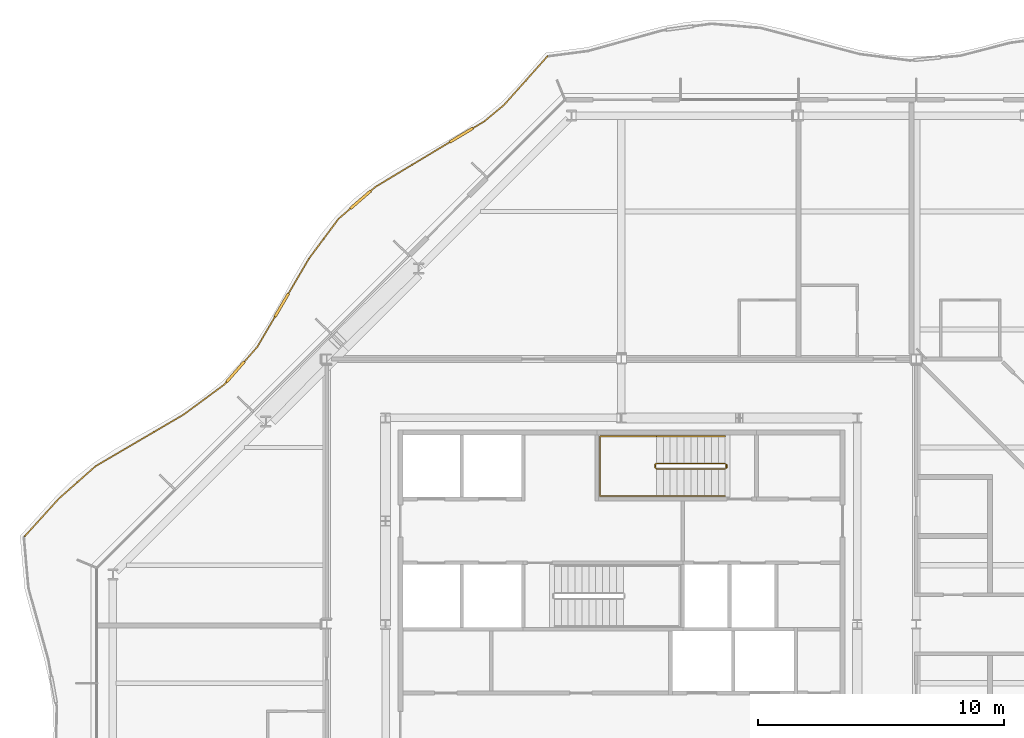
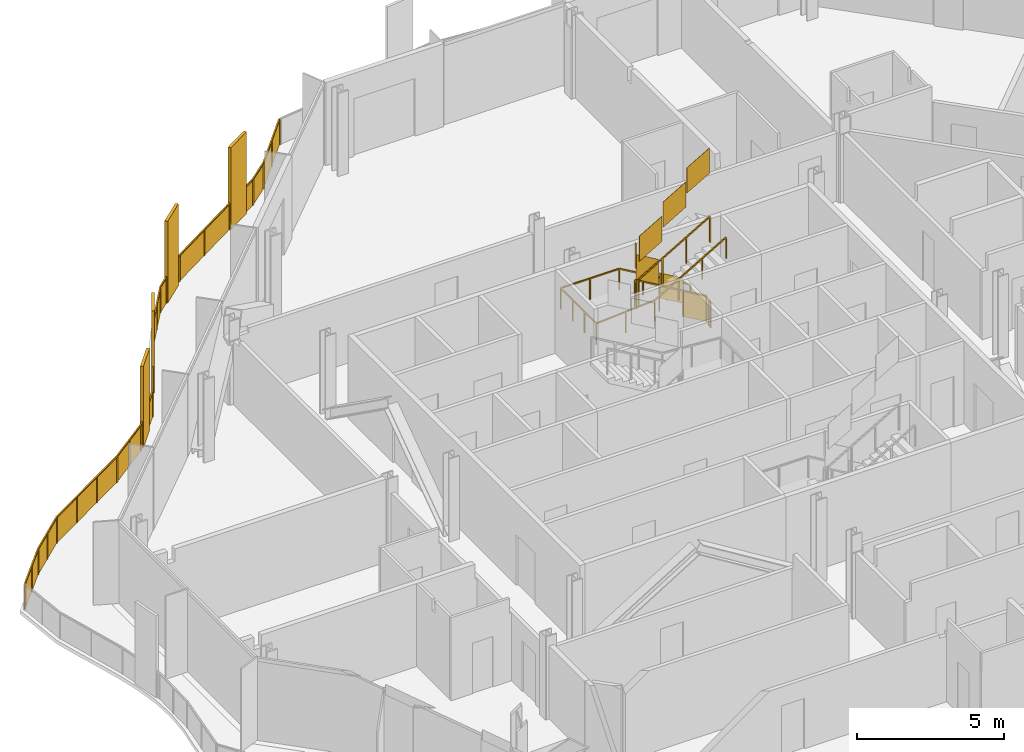
# One storey, part 16 of 17: 4 railings.
"""IFC4 building model written with IfcOpenShell, lengths in metres."""

import ifcopenshell
import ifcopenshell.guid

model = None  # the IFC model being written
_history = None  # IfcOwnerHistory: only IFC2X3 demands one
_inside = {}  # id of a spatial element -> (the spatial element, [elements in it])
_under = {}  # id of a project, library or spatial element -> (it, [spatial elements below it])
_declared = {}  # id of a project -> (the project, [libraries it declares])
_typed = {}  # id of a type object -> (the type object, [elements of that type])
_made_of = {}  # id of a material, layer set ... -> (it, [elements and type objects made of it])


def new_model(schema):
    """Start an empty IFC model of exactly this schema.

    Asked for "IFC4X3", IfcOpenShell would pick the latest addendum, in which some entities
    have other attributes; the version numbers below select the first issue.
    IFC2X3 requires an IfcOwnerHistory on every rooted entity: one is made here for all.
    """
    global model, _history
    if schema == "IFC4X3":
        model = ifcopenshell.file(schema_version=(4, 3, 0, 0))
    else:
        model = ifcopenshell.file(schema=schema)
    _inside.clear()
    _under.clear()
    _declared.clear()
    _typed.clear()
    _made_of.clear()
    _history = None
    if model.schema == "IFC2X3":
        org = make("IfcOrganization", Name="unknown")
        user = make(
            "IfcPersonAndOrganization",
            ThePerson=make("IfcPerson", FamilyName="unknown"),
            TheOrganization=org,
        )
        app = make(
            "IfcApplication",
            ApplicationDeveloper=org,
            Version="unknown",
            ApplicationFullName="unknown",
            ApplicationIdentifier="unknown",
        )
        _history = make(
            "IfcOwnerHistory",
            OwningUser=user,
            OwningApplication=app,
            ChangeAction="ADDED",
            CreationDate=0,
        )
    return model


def make(cls, **values):
    """One entity of the class cls with the attributes given. An attribute that is None is left unset."""
    return model.create_entity(
        cls, **{name: value for name, value in values.items() if value is not None}
    )


def rooted(cls, **values):
    """An entity with a GlobalId (a new one), such as an element, a storey or a relation."""
    return make(cls, GlobalId=ifcopenshell.guid.new(), OwnerHistory=_history, **values)


def si_unit(unit_type, name, prefix=None):
    """IfcSIUnit, for example si_unit("LENGTHUNIT", "METRE", prefix="MILLI")."""
    return make("IfcSIUnit", UnitType=unit_type, Prefix=prefix, Name=name)


def assignment(units):
    """IfcUnitAssignment: the units of a project."""
    return None if units is None else make("IfcUnitAssignment", Units=units)


def point(xyz):
    """IfcCartesianPoint."""
    return None if xyz is None else make("IfcCartesianPoint", Coordinates=xyz)


def direction(xyz):
    """IfcDirection."""
    return None if xyz is None else make("IfcDirection", DirectionRatios=xyz)


def frame(location, z_axis=None, x_axis=None):
    """IfcAxis2Placement3D, a coordinate frame: its origin and axes. An axis left out is left unset."""
    return make(
        "IfcAxis2Placement3D",
        Location=point(location),
        Axis=direction(z_axis),
        RefDirection=direction(x_axis),
    )


def frame_2d(location, x_axis=None):
    """IfcAxis2Placement2D, a coordinate frame in the plane: its origin and x axis."""
    return make(
        "IfcAxis2Placement2D", Location=point(location), RefDirection=direction(x_axis)
    )


def origin():
    """The frame at (0, 0, 0) with its axes left unset."""
    return frame((0.0, 0.0, 0.0))


def origin_2d():
    """The frame at (0, 0) in the plane with its x axis left unset."""
    return frame_2d((0.0, 0.0))


def place(relative_to, where):
    """IfcLocalPlacement: puts the frame where relative to a parent placement (None: the world)."""
    return make(
        "IfcLocalPlacement", PlacementRelTo=relative_to, RelativePlacement=where
    )


def context(
    kind, dimensions, precision=None, world=None, true_north=None, identifier=None
):
    """IfcGeometricRepresentationContext, for example the 3D "Model" context."""
    return make(
        "IfcGeometricRepresentationContext",
        ContextIdentifier=identifier,
        ContextType=kind,
        CoordinateSpaceDimension=dimensions,
        Precision=precision,
        WorldCoordinateSystem=world,
        TrueNorth=true_north,
    )


def subcontext(parent, identifier, kind, view, scale=None):
    """IfcGeometricRepresentationSubContext, for example "Body" below "Model"."""
    return make(
        "IfcGeometricRepresentationSubContext",
        ContextIdentifier=identifier,
        ContextType=kind,
        ParentContext=parent,
        TargetScale=scale,
        TargetView=view,
    )


def project(units=None, contexts=None):
    """IfcProject with its units and contexts."""
    return rooted(
        "IfcProject",
        Name="project",
        RepresentationContexts=contexts,
        UnitsInContext=assignment(units),
    )


def spatial(cls, under=None, at=None, **own):
    """A site, building, storey or space (cls), placed at a placement, below another one or the project."""
    s = rooted(cls, ObjectPlacement=at, **own)
    if under is not None:
        _under.setdefault(under.id(), (under, []))[1].append(s)
    return s


def polyline(points):
    """IfcPolyline through the points."""
    return make("IfcPolyline", Points=[point(p) for p in points])


def profile(cls, at=None, kind="AREA", **sizes):
    """A parametric profile (cls). Its sizes go by their IFC names, for example OverallWidth=200.0."""
    return make(cls, ProfileType=kind, Position=at, **sizes)


def rectangle(**sizes):
    """IfcRectangleProfileDef."""
    return profile("IfcRectangleProfileDef", **sizes)


def outline(outer, holes=None, kind="AREA"):
    """IfcArbitraryClosedProfileDef: a profile drawn as a closed curve; with holes, ...WithVoids."""
    if holes is None:
        return make("IfcArbitraryClosedProfileDef", ProfileType=kind, OuterCurve=outer)
    return make(
        "IfcArbitraryProfileDefWithVoids",
        ProfileType=kind,
        OuterCurve=outer,
        InnerCurves=holes,
    )


def extrude(swept, where, along, depth):
    """IfcExtrudedAreaSolid: the profile swept, set in the frame where, extruded along a direction by depth."""
    return make(
        "IfcExtrudedAreaSolid",
        SweptArea=swept,
        Position=where,
        ExtrudedDirection=direction(along),
        Depth=depth,
    )


def shape(context_of_items, identifier, shape_type, items):
    """IfcShapeRepresentation: the items that make up one representation, for example the "Body"."""
    return make(
        "IfcShapeRepresentation",
        ContextOfItems=context_of_items,
        RepresentationIdentifier=identifier,
        RepresentationType=shape_type,
        Items=items,
    )


def material(Name=None, Category=None):
    """IfcMaterial."""
    return make("IfcMaterial", Name=Name, Category=Category)


def made_of(thing, what):
    """Note that an element or type object is made of a material, layer set ...; save() writes the relation."""
    if what is not None:
        _made_of.setdefault(what.id(), (what, []))[1].append(thing)
    return thing


def type_object(cls, material=None, **own):
    """A type object (cls), such as IfcWallType, which elements share."""
    return made_of(rooted(cls, **own), material)


def element(
    cls,
    number,
    at=None,
    inside=None,
    cuts=None,
    type_object=None,
    material=None,
    context=None,
    identifier="Body",
    shape_type=None,
    held_by="IfcProductDefinitionShape",
    body=None,
    shapes=None,
    **own,
):
    """One element of the class cls, such as IfcWall. Its Tag is "e" and its number.

    at: its placement. inside: the storey or other place that contains it. cuts: it is an
    opening in that element (IfcRelVoidsElement). A single representation is given by context,
    identifier, shape_type and body (its items); several are given by shapes. held_by: the class
    of the entity that holds the representations. save() writes the other relations.
    """
    e = rooted(cls, Tag="e%d" % number, ObjectPlacement=at, **own)
    if body is not None:
        shapes = [shape(context, identifier, shape_type, body)]
    if shapes is not None:
        e.Representation = make(held_by, Representations=shapes)
    if inside is not None:
        _inside.setdefault(inside.id(), (inside, []))[1].append(e)
    if cuts is not None:
        rooted(
            "IfcRelVoidsElement", RelatingBuildingElement=cuts, RelatedOpeningElement=e
        )
    if type_object is not None:
        _typed.setdefault(type_object.id(), (type_object, []))[1].append(e)
    return made_of(e, material)


def aggregate(whole, parts):
    """IfcRelAggregates: a whole, such as a stair, and the parts it consists of."""
    return rooted("IfcRelAggregates", RelatingObject=whole, RelatedObjects=parts)


def save(model, path):
    """Write the relations noted so far, then the file.

    IfcRelAggregates (storeys below a building ...), IfcRelContainedInSpatialStructure (elements
    in a storey), IfcRelDefinesByType, IfcRelAssociatesMaterial and IfcRelDeclares: one each for
    every whole, place, type object, material and project.
    """
    for whole, parts in _under.values():
        aggregate(whole, parts)
    for where, things in _inside.values():
        rooted(
            "IfcRelContainedInSpatialStructure",
            RelatedElements=things,
            RelatingStructure=where,
        )
    for kind, things in _typed.values():
        rooted("IfcRelDefinesByType", RelatedObjects=things, RelatingType=kind)
    for what, things in _made_of.values():
        rooted("IfcRelAssociatesMaterial", RelatedObjects=things, RelatingMaterial=what)
    for by, libraries in _declared.values():
        rooted("IfcRelDeclares", RelatingContext=by, RelatedDefinitions=libraries)
    model.write(path)


model = new_model("IFC4")

# Units and contexts
model_context = context("Model", 3, precision=1e-05, world=origin(), true_north=direction((0.0, 1.0)))
body_context = subcontext(model_context, "Body", "Model", "MODEL_VIEW")
ifc_project = project(units=[si_unit("LENGTHUNIT", "METRE"), si_unit("AREAUNIT", "SQUARE_METRE"), si_unit("VOLUMEUNIT", "CUBIC_METRE"), si_unit("PLANEANGLEUNIT", "RADIAN"), si_unit("MASSUNIT", "GRAM", prefix="KILO")], contexts=[model_context])

# Site, building, storey
site_placement = place(None, origin())
site = spatial("IfcSite", under=ifc_project, at=site_placement, CompositionType="ELEMENT")
building_placement = place(site_placement, origin())
building = spatial("IfcBuilding", under=site, at=building_placement, Name="Cairn Pilgrim Tower", CompositionType="ELEMENT")
storey_placement = place(building_placement, frame((0.0, 0.0, 228.60009765625)))
storey = spatial("IfcBuildingStorey", under=building, at=storey_placement, Name="L58", CompositionType="ELEMENT", Elevation=228.60009765625)

# Railings
ifc_material_1 = material(Name="Bronze anodised aluminium rail, posts and fin screens with laminated glass infill", Category="aluminium")
railing_type_1 = type_object("IfcRailingType", Name="BALCONY GUARD WITH FIN SCREENS", PredefinedType="GUARDRAIL", material=ifc_material_1)
railing_1_placement = place(storey_placement, frame((4.187255859375, 25.5185546875, 0.0)))
element("IfcRailing", 1, at=railing_1_placement, inside=storey, type_object=railing_type_1, Name="Balcony guard BGF-6 with fin screens", PredefinedType="GUARDRAIL", context=body_context, shape_type="SweptSolid", body=[
    extrude(rectangle(XDim=0.050048828125, YDim=0.050048828125, at=origin_2d()), frame((0.0, 0.0, 1.0751953125), z_axis=(-0.665645255765, -0.746268311988, 0.0), x_axis=(0.746268311988, -0.665645255765, 0.0)), (0.0, 0.0, 1.0), 2.65869140625),
    extrude(rectangle(XDim=0.050048828125, YDim=0.050048828125, at=origin_2d()), frame((-1.769775390625, -1.984130859375, 1.0751953125), z_axis=(-0.769227911486, -0.638974506683, 0.0), x_axis=(0.638974506683, -0.769227911486, 0.0)), (0.0, 0.0, 1.0), 1.03271484375),
    extrude(rectangle(XDim=1.10009765625, YDim=0.110107421875, at=origin_2d()), frame((-3.50341796875, -3.20947265625, 0.0), z_axis=(0.0, 0.0, 1.0), x_axis=(-0.856735056824, -0.515756766712, 0.0)), (0.0, 0.0, 1.0), 3.39990234375),
    extrude(rectangle(XDim=0.050048828125, YDim=0.050048828125, at=origin_2d()), frame((-2.564208984375, -2.64404296875, 1.0751953125), z_axis=(-0.856735056824, -0.515756766712, 0.0), x_axis=(0.515756766712, -0.856735056824, 0.0)), (0.0, 0.0, 1.0), 0.54638671875),
    extrude(rectangle(XDim=0.050048828125, YDim=0.050048828125, at=origin_2d()), frame((-3.974853515625, -3.4931640625, 1.0751953125), z_axis=(-0.856735056824, -0.515756766712, 0.0), x_axis=(0.515756766712, -0.856735056824, 0.0)), (0.0, 0.0, 1.0), 3.533203125),
    extrude(rectangle(XDim=1.10009765625, YDim=0.110107421875, at=origin_2d()), frame((-7.608642578125, -5.841064453125, 0.0), z_axis=(0.0, 0.0, 1.0), x_axis=(-0.755855266983, -0.654738738256, 0.0)), (0.0, 0.0, 1.0), 3.39990234375),
    extrude(rectangle(XDim=0.050048828125, YDim=0.050048828125, at=origin_2d()), frame((-7.001708984375, -5.3154296875, 1.0751953125), z_axis=(-0.755855266983, -0.654738738256, 0.0), x_axis=(0.654738738256, -0.755855266983, 0.0)), (0.0, 0.0, 1.0), 0.2529296875),
    extrude(rectangle(XDim=0.050048828125, YDim=0.050048828125, at=origin_2d()), frame((-8.0244140625, -6.201171875, 1.0751953125), z_axis=(-0.755855266983, -0.654738738256, 0.0), x_axis=(0.654738738256, -0.755855266983, 0.0)), (0.0, 0.0, 1.0), 0.634033203125),
    extrude(rectangle(XDim=0.050048828125, YDim=0.050048828125, at=origin_2d()), frame((-8.503662109375, -6.616455078125, 1.0751953125), z_axis=(-0.596941621145, -0.802284675751, 0.0), x_axis=(0.802284675751, -0.596941621145, 0.0)), (0.0, 0.0, 1.0), 2.008056640625),
    extrude(rectangle(XDim=1.10009765625, YDim=0.110107421875, at=origin_2d()), frame((-10.81201171875, -10.12451171875, 0.0), z_axis=(0.0, 0.0, 1.0), x_axis=(-0.504945951806, -0.863150963479, 0.0)), (0.0, 0.0, 1.0), 3.39990234375),
    extrude(rectangle(XDim=0.050048828125, YDim=0.050048828125, at=origin_2d()), frame((-9.702392578125, -8.2275390625, 1.0751953125), z_axis=(-0.504945951806, -0.863150963479, 0.0), x_axis=(0.863150963479, -0.504945951806, 0.0)), (0.0, 0.0, 1.0), 1.647705078125),
    extrude(rectangle(XDim=0.050048828125, YDim=0.050048828125, at=origin_2d()), frame((-11.08984375, -10.59912109375, 1.0751953125), z_axis=(-0.504945951806, -0.863150963479, 0.0), x_axis=(0.863150963479, -0.504945951806, 0.0)), (0.0, 0.0, 1.0), 1.416748046875),
    extrude(rectangle(XDim=1.10009765625, YDim=0.110107421875, at=origin_2d()), frame((-12.691650390625, -12.835205078125, 0.0), z_axis=(0.0, 0.0, 1.0), x_axis=(-0.658470820357, -0.75260625744, 0.0)), (0.0, 0.0, 1.0), 3.39990234375),
    extrude(rectangle(XDim=0.050048828125, YDim=0.050048828125, at=origin_2d()), frame((-11.80517578125, -11.822021484375, 1.0751953125), z_axis=(-0.658470820357, -0.75260625744, 0.0), x_axis=(0.75260625744, -0.658470820357, 0.0)), (0.0, 0.0, 1.0), 0.79638671875),
    extrude(rectangle(XDim=0.050048828125, YDim=0.050048828125, at=origin_2d()), frame((-13.053955078125, -13.249267578125, 1.0751953125), z_axis=(-0.658470820357, -0.75260625744, 0.0), x_axis=(0.75260625744, -0.658470820357, 0.0)), (0.0, 0.0, 1.0), 0.14990234375),
    extrude(rectangle(XDim=0.050048828125, YDim=0.050048828125, at=origin_2d()), frame((-13.152587890625, -13.362060546875, 1.0751953125), z_axis=(-0.804841149106, -0.593490290322, 0.0), x_axis=(0.593490290322, -0.804841149106, 0.0)), (0.0, 0.0, 1.0), 2.058349609375),
    extrude(rectangle(XDim=0.050048828125, YDim=0.050048828125, at=origin_2d()), frame((-14.809326171875, -14.583740234375, 1.0751953125), z_axis=(-0.862802366809, -0.505541369059, 0.0), x_axis=(0.505541369059, -0.862802366809, 0.0)), (0.0, 0.0, 1.0), 4.15087890625),
    extrude(rectangle(XDim=0.050048828125, YDim=0.050048828125, at=origin_2d()), frame((-18.390625, -16.68212890625, 1.0751953125), z_axis=(-0.749326257364, -0.662200996696, 0.0), x_axis=(0.662200996696, -0.749326257364, 0.0)), (0.0, 0.0, 1.0), 1.992431640625),
    extrude(rectangle(XDim=0.050048828125, YDim=0.050048828125, at=origin_2d()), frame((-19.883544921875, -18.00146484375, 1.0751953125), z_axis=(-0.671655185114, -0.740863895942, 0.0), x_axis=(0.740863895942, -0.671655185114, 0.0)), (0.0, 0.0, 1.0), 2.067138671875),
    extrude(rectangle(XDim=0.050048828125, YDim=0.050048828125, at=origin_2d()), origin(), (0.0, 0.0, 1.0), 1.050048828125),
    extrude(rectangle(XDim=0.050048828125, YDim=0.050048828125, at=origin_2d()), frame((-0.884765625, -0.991943359375, 0.0)), (0.0, 0.0, 1.0), 1.050048828125),
    extrude(rectangle(XDim=0.050048828125, YDim=0.050048828125, at=origin_2d()), frame((-1.769775390625, -1.984130859375, 0.0)), (0.0, 0.0, 1.0), 1.050048828125),
    extrude(rectangle(XDim=0.050048828125, YDim=0.050048828125, at=origin_2d()), frame((-2.564208984375, -2.64404296875, 0.0)), (0.0, 0.0, 1.0), 1.050048828125),
    extrude(rectangle(XDim=0.050048828125, YDim=0.050048828125, at=origin_2d()), frame((-3.010986328125, -2.912841796875, 0.0)), (0.0, 0.0, 1.0), 1.050048828125),
    extrude(rectangle(XDim=0.050048828125, YDim=0.050048828125, at=origin_2d()), frame((-3.99609375, -3.506103515625, 0.0)), (0.0, 0.0, 1.0), 1.050048828125),
    extrude(rectangle(XDim=0.050048828125, YDim=0.050048828125, at=origin_2d()), frame((-5.4990234375, -4.41064453125, 0.0)), (0.0, 0.0, 1.0), 1.050048828125),
    extrude(rectangle(XDim=0.050048828125, YDim=0.050048828125, at=origin_2d()), frame((-7.001708984375, -5.3154296875, 0.0)), (0.0, 0.0, 1.0), 1.050048828125),
    extrude(rectangle(XDim=0.050048828125, YDim=0.050048828125, at=origin_2d()), frame((-7.174072265625, -5.464599609375, 0.0)), (0.0, 0.0, 1.0), 1.050048828125),
    extrude(rectangle(XDim=0.050048828125, YDim=0.050048828125, at=origin_2d()), frame((-8.043212890625, -6.217529296875, 0.0)), (0.0, 0.0, 1.0), 1.050048828125),
    extrude(rectangle(XDim=0.050048828125, YDim=0.050048828125, at=origin_2d()), frame((-8.503662109375, -6.616455078125, 0.0)), (0.0, 0.0, 1.0), 1.050048828125),
    extrude(rectangle(XDim=0.050048828125, YDim=0.050048828125, at=origin_2d()), frame((-9.10302734375, -7.421875, 0.0)), (0.0, 0.0, 1.0), 1.050048828125),
    extrude(rectangle(XDim=0.050048828125, YDim=0.050048828125, at=origin_2d()), frame((-9.702392578125, -8.2275390625, 0.0)), (0.0, 0.0, 1.0), 1.050048828125),
    extrude(rectangle(XDim=0.050048828125, YDim=0.050048828125, at=origin_2d()), frame((-10.521728515625, -9.628173828125, 0.0)), (0.0, 0.0, 1.0), 1.050048828125),
    extrude(rectangle(XDim=0.050048828125, YDim=0.050048828125, at=origin_2d()), frame((-11.1025390625, -10.620849609375, 0.0)), (0.0, 0.0, 1.0), 1.050048828125),
    extrude(rectangle(XDim=0.050048828125, YDim=0.050048828125, at=origin_2d()), frame((-11.80517578125, -11.822021484375, 0.0)), (0.0, 0.0, 1.0), 1.050048828125),
    extrude(rectangle(XDim=0.050048828125, YDim=0.050048828125, at=origin_2d()), frame((-12.31298828125, -12.402587890625, 0.0)), (0.0, 0.0, 1.0), 1.050048828125),
    extrude(rectangle(XDim=0.050048828125, YDim=0.050048828125, at=origin_2d()), frame((-13.0703125, -13.26806640625, 0.0)), (0.0, 0.0, 1.0), 1.050048828125),
    extrude(rectangle(XDim=0.050048828125, YDim=0.050048828125, at=origin_2d()), frame((-13.152587890625, -13.362060546875, 0.0)), (0.0, 0.0, 1.0), 1.050048828125),
    extrude(rectangle(XDim=0.050048828125, YDim=0.050048828125, at=origin_2d()), frame((-13.98095703125, -13.972900390625, 0.0)), (0.0, 0.0, 1.0), 1.050048828125),
    extrude(rectangle(XDim=0.050048828125, YDim=0.050048828125, at=origin_2d()), frame((-14.809326171875, -14.583740234375, 0.0)), (0.0, 0.0, 1.0), 1.050048828125),
    extrude(rectangle(XDim=0.050048828125, YDim=0.050048828125, at=origin_2d()), frame((-16.003173828125, -15.283203125, 0.0)), (0.0, 0.0, 1.0), 1.050048828125),
    extrude(rectangle(XDim=0.050048828125, YDim=0.050048828125, at=origin_2d()), frame((-17.19677734375, -15.982666015625, 0.0)), (0.0, 0.0, 1.0), 1.050048828125),
    extrude(rectangle(XDim=0.050048828125, YDim=0.050048828125, at=origin_2d()), frame((-18.390625, -16.68212890625, 0.0)), (0.0, 0.0, 1.0), 1.050048828125),
    extrude(rectangle(XDim=0.050048828125, YDim=0.050048828125, at=origin_2d()), frame((-19.13720703125, -17.341796875, 0.0)), (0.0, 0.0, 1.0), 1.050048828125),
    extrude(rectangle(XDim=0.050048828125, YDim=0.050048828125, at=origin_2d()), frame((-19.883544921875, -18.00146484375, 0.0)), (0.0, 0.0, 1.0), 1.050048828125),
    extrude(rectangle(XDim=0.050048828125, YDim=0.050048828125, at=origin_2d()), frame((-20.57763671875, -18.76708984375, 0.0)), (0.0, 0.0, 1.0), 1.050048828125),
    extrude(rectangle(XDim=0.050048828125, YDim=0.050048828125, at=origin_2d()), frame((-21.27197265625, -19.532958984375, 0.0)), (0.0, 0.0, 1.0), 1.050048828125),
    extrude(outline(polyline([(0.02490234375, 0.0), (1.304443359375, 0.0), (1.304443359375, 1.050048828125), (0.02490234375, 1.050048828125), (0.02490234375, 0.0)])), frame((0.00439453125, -0.00390625, 0.0), z_axis=(-0.746268311988, 0.665645255765, 0.0), x_axis=(-0.665645255765, -0.746268311988, 0.0)), (0.0, 0.0, 1.0), 0.011962890625),
    extrude(outline(polyline([(0.02490234375, 0.0), (1.304443359375, 0.0), (1.304443359375, 1.050048828125), (0.02490234375, 1.050048828125), (0.02490234375, 0.0)])), frame((-0.88037109375, -0.99609375, 0.0), z_axis=(-0.746268311988, 0.665645255765, 0.0), x_axis=(-0.665645255765, -0.746268311988, 0.0)), (0.0, 0.0, 1.0), 0.011962890625),
    extrude(outline(polyline([(0.02490234375, 0.0), (1.0078125, 0.0), (1.0078125, 1.050048828125), (0.02490234375, 1.050048828125), (0.02490234375, 0.0)])), frame((-1.765869140625, -1.98876953125, 0.0), z_axis=(-0.638974506683, 0.769227911486, 0.0), x_axis=(-0.769227911486, -0.638974506683, 0.0)), (0.0, 0.0, 1.0), 0.011962890625),
    extrude(outline(polyline([(0.02490234375, 0.0), (0.496337890625, 0.0), (0.496337890625, 1.050048828125), (0.02490234375, 1.050048828125), (0.02490234375, 0.0)])), frame((-2.56103515625, -2.649169921875, 0.0), z_axis=(-0.515756766712, 0.856735056824, 0.0), x_axis=(-0.856735056824, -0.515756766712, 0.0)), (0.0, 0.0, 1.0), 0.011962890625),
    extrude(outline(polyline([(0.02490234375, 0.0), (1.72900390625, 0.0), (1.72900390625, 1.050048828125), (0.02490234375, 1.050048828125), (0.02490234375, 0.0)])), frame((-3.9931640625, -3.51123046875, 0.0), z_axis=(-0.515756766712, 0.856735056824, 0.0), x_axis=(-0.856735056824, -0.515756766712, 0.0)), (0.0, 0.0, 1.0), 0.011962890625),
    extrude(outline(polyline([(0.02490234375, 0.0), (1.72900390625, 0.0), (1.72900390625, 1.050048828125), (0.02490234375, 1.050048828125), (0.02490234375, 0.0)])), frame((-5.495849609375, -4.415771484375, 0.0), z_axis=(-0.515756766712, 0.856735056824, 0.0), x_axis=(-0.856735056824, -0.515756766712, 0.0)), (0.0, 0.0, 1.0), 0.011962890625),
    extrude(outline(polyline([(0.02490234375, 0.0), (0.202880859375, 0.0), (0.202880859375, 1.050048828125), (0.02490234375, 1.050048828125), (0.02490234375, 0.0)])), frame((-6.997802734375, -5.320068359375, 0.0), z_axis=(-0.654738738256, 0.755855266983, 0.0), x_axis=(-0.755855266983, -0.654738738256, 0.0)), (0.0, 0.0, 1.0), 0.011962890625),
    extrude(outline(polyline([(0.02490234375, 0.0), (0.583984375, 0.0), (0.583984375, 1.050048828125), (0.02490234375, 1.050048828125), (0.02490234375, 0.0)])), frame((-8.039306640625, -6.22216796875, 0.0), z_axis=(-0.654738738256, 0.755855266983, 0.0), x_axis=(-0.755855266983, -0.654738738256, 0.0)), (0.0, 0.0, 1.0), 0.011962890625),
    extrude(outline(polyline([(0.02490234375, 0.0), (0.97900390625, 0.0), (0.97900390625, 1.050048828125), (0.02490234375, 1.050048828125), (0.02490234375, 0.0)])), frame((-8.498779296875, -6.6201171875, 0.0), z_axis=(-0.802284675751, 0.596941621145, 0.0), x_axis=(-0.596941621145, -0.802284675751, 0.0)), (0.0, 0.0, 1.0), 0.011962890625),
    extrude(outline(polyline([(0.02490234375, 0.0), (0.97900390625, 0.0), (0.97900390625, 1.050048828125), (0.02490234375, 1.050048828125), (0.02490234375, 0.0)])), frame((-9.09814453125, -7.425537109375, 0.0), z_axis=(-0.802284675751, 0.596941621145, 0.0), x_axis=(-0.596941621145, -0.802284675751, 0.0)), (0.0, 0.0, 1.0), 0.011962890625),
    extrude(outline(polyline([(0.02490234375, 0.0), (1.59765625, 0.0), (1.59765625, 1.050048828125), (0.02490234375, 1.050048828125), (0.02490234375, 0.0)])), frame((-9.697265625, -8.23046875, 0.0), z_axis=(-0.863150963479, 0.504945951806, 0.0), x_axis=(-0.504945951806, -0.863150963479, 0.0)), (0.0, 0.0, 1.0), 0.011962890625),
    extrude(outline(polyline([(0.02490234375, 0.0), (1.36669921875, 0.0), (1.36669921875, 1.050048828125), (0.02490234375, 1.050048828125), (0.02490234375, 0.0)])), frame((-11.09716796875, -10.623779296875, 0.0), z_axis=(-0.863150963479, 0.504945951806, 0.0), x_axis=(-0.504945951806, -0.863150963479, 0.0)), (0.0, 0.0, 1.0), 0.011962890625),
    extrude(outline(polyline([(0.02490234375, 0.0), (0.746337890625, 0.0), (0.746337890625, 1.050048828125), (0.02490234375, 1.050048828125), (0.02490234375, 0.0)])), frame((-11.80078125, -11.825927734375, 0.0), z_axis=(-0.75260625744, 0.658470820357, 0.0), x_axis=(-0.658470820357, -0.75260625744, 0.0)), (0.0, 0.0, 1.0), 0.011962890625),
    extrude(outline(polyline([(0.02490234375, 0.0), (0.099853515625, 0.0), (0.099853515625, 1.050048828125), (0.02490234375, 1.050048828125), (0.02490234375, 0.0)])), frame((-13.06591796875, -13.27197265625, 0.0), z_axis=(-0.75260625744, 0.658470820357, 0.0), x_axis=(-0.658470820357, -0.75260625744, 0.0)), (0.0, 0.0, 1.0), 0.011962890625),
    extrude(outline(polyline([(0.02490234375, 0.0), (1.004150390625, 0.0), (1.004150390625, 1.050048828125), (0.02490234375, 1.050048828125), (0.02490234375, 0.0)])), frame((-13.14892578125, -13.366943359375, 0.0), z_axis=(-0.593490290322, 0.804841149106, 0.0), x_axis=(-0.804841149106, -0.593490290322, 0.0)), (0.0, 0.0, 1.0), 0.011962890625),
    extrude(outline(polyline([(0.02490234375, 0.0), (1.004150390625, 0.0), (1.004150390625, 1.050048828125), (0.02490234375, 1.050048828125), (0.02490234375, 0.0)])), frame((-13.977294921875, -13.977783203125, 0.0), z_axis=(-0.593490290322, 0.804841149106, 0.0), x_axis=(-0.804841149106, -0.593490290322, 0.0)), (0.0, 0.0, 1.0), 0.011962890625),
    extrude(outline(polyline([(0.02490234375, 0.0), (1.358642578125, 0.0), (1.358642578125, 1.050048828125), (0.02490234375, 1.050048828125), (0.02490234375, 0.0)])), frame((-14.806396484375, -14.5888671875, 0.0), z_axis=(-0.505541369059, 0.862802366809, 0.0), x_axis=(-0.862802366809, -0.505541369059, 0.0)), (0.0, 0.0, 1.0), 0.011962890625),
    extrude(outline(polyline([(0.02490234375, 0.0), (1.358642578125, 0.0), (1.358642578125, 1.050048828125), (0.02490234375, 1.050048828125), (0.02490234375, 0.0)])), frame((-16.0, -15.288330078125, 0.0), z_axis=(-0.505541369059, 0.862802366809, 0.0), x_axis=(-0.862802366809, -0.505541369059, 0.0)), (0.0, 0.0, 1.0), 0.011962890625),
    extrude(outline(polyline([(0.02490234375, 0.0), (1.358642578125, 0.0), (1.358642578125, 1.050048828125), (0.02490234375, 1.050048828125), (0.02490234375, 0.0)])), frame((-17.19384765625, -15.98779296875, 0.0), z_axis=(-0.505541369059, 0.862802366809, 0.0), x_axis=(-0.862802366809, -0.505541369059, 0.0)), (0.0, 0.0, 1.0), 0.011962890625),
    extrude(outline(polyline([(0.02490234375, 0.0), (0.97119140625, 0.0), (0.97119140625, 1.050048828125), (0.02490234375, 1.050048828125), (0.02490234375, 0.0)])), frame((-18.38671875, -16.6865234375, 0.0), z_axis=(-0.662200996696, 0.749326257364, 0.0), x_axis=(-0.749326257364, -0.662200996696, 0.0)), (0.0, 0.0, 1.0), 0.011962890625),
    extrude(outline(polyline([(0.02490234375, 0.0), (0.97119140625, 0.0), (0.97119140625, 1.050048828125), (0.02490234375, 1.050048828125), (0.02490234375, 0.0)])), frame((-19.133056640625, -17.34619140625, 0.0), z_axis=(-0.662200996696, 0.749326257364, 0.0), x_axis=(-0.749326257364, -0.662200996696, 0.0)), (0.0, 0.0, 1.0), 0.011962890625),
    extrude(outline(polyline([(0.02490234375, 0.0), (1.008544921875, 0.0), (1.008544921875, 1.050048828125), (0.02490234375, 1.050048828125), (0.02490234375, 0.0)])), frame((-19.879150390625, -18.00537109375, 0.0), z_axis=(-0.740863895942, 0.671655185114, 0.0), x_axis=(-0.671655185114, -0.740863895942, 0.0)), (0.0, 0.0, 1.0), 0.011962890625),
    extrude(outline(polyline([(0.02490234375, 0.0), (1.008544921875, 0.0), (1.008544921875, 1.050048828125), (0.02490234375, 1.050048828125), (0.02490234375, 0.0)])), frame((-20.5732421875, -18.771240234375, 0.0), z_axis=(-0.740863895942, 0.671655185114, 0.0), x_axis=(-0.671655185114, -0.740863895942, 0.0)), (0.0, 0.0, 1.0), 0.011962890625),
])
ifc_material_2 = material(Name="Painted steel", Category="steel")
railing_type_2 = type_object("IfcRailingType", Name="STAIR GUARD 1100", PredefinedType="GUARDRAIL", material=ifc_material_2)
railing_2_placement = place(storey_placement, frame((11.425048828125, 8.949951171875, 0.16357421875)))
element("IfcRailing", 2, at=railing_2_placement, inside=storey, type_object=railing_type_2, Name="L58 ST-C stair guard 1", PredefinedType="GUARDRAIL", context=body_context, shape_type="SweptSolid", body=[
    extrude(rectangle(XDim=0.048095703125, YDim=0.048095703125, at=origin_2d()), frame((0.0, 0.0, 1.076171875), z_axis=(-0.863393664356, 0.0, 0.504530851732), x_axis=(0.0, -1.0, 0.0)), (0.0, 0.0, 1.0), 3.2431640625),
    extrude(rectangle(XDim=0.048095703125, YDim=0.048095703125, at=origin_2d()), frame((-2.800048828125, 0.0, 2.71240234375), z_axis=(-0.707106781187, -0.707106781187, 0.0), x_axis=(0.707106781187, -0.707106781187, 0.0)), (0.0, 0.0, 1.0), 0.07080078125),
    extrude(rectangle(XDim=0.048095703125, YDim=0.048095703125, at=origin_2d()), frame((-2.85009765625, -0.050048828125, 2.71240234375), z_axis=(0.0, -1.0, 0.0), x_axis=(1.0, 0.0, 0.0)), (0.0, 0.0, 1.0), 0.125),
    extrude(rectangle(XDim=0.048095703125, YDim=0.048095703125, at=origin_2d()), frame((-2.85009765625, -0.175048828125, 2.71240234375), z_axis=(0.280563532951, -0.279194930351, 0.91833234444), x_axis=(0.705375805398, 0.708833529934, 0.0)), (0.0, 0.0, 1.0), 0.178466796875),
    extrude(rectangle(XDim=0.048095703125, YDim=0.048095703125, at=origin_2d()), frame((-2.800048828125, -0.224853515625, 2.8759765625), z_axis=(0.863393664356, 0.0, 0.504530851732), x_axis=(0.0, 1.0, 0.0)), (0.0, 0.0, 1.0), 3.2431640625),
    extrude(rectangle(XDim=0.0419921875, YDim=0.0419921875, at=origin_2d()), origin(), (0.0, 0.0, 1.0), 1.052001953125),
    extrude(rectangle(XDim=0.0419921875, YDim=0.0419921875, at=origin_2d()), frame((-0.933349609375, 0.0, 0.54541015625)), (0.0, 0.0, 1.0), 1.052001953125),
    extrude(rectangle(XDim=0.0419921875, YDim=0.0419921875, at=origin_2d()), frame((-1.86669921875, 0.0, 1.0908203125)), (0.0, 0.0, 1.0), 1.052001953125),
    extrude(rectangle(XDim=0.0419921875, YDim=0.0419921875, at=origin_2d()), frame((-2.800048828125, 0.0, 1.63623046875)), (0.0, 0.0, 1.0), 1.052001953125),
    extrude(rectangle(XDim=0.0419921875, YDim=0.0419921875, at=origin_2d()), frame((-2.85009765625, -0.050048828125, 1.63623046875)), (0.0, 0.0, 1.0), 1.052001953125),
    extrude(rectangle(XDim=0.0419921875, YDim=0.0419921875, at=origin_2d()), frame((-2.85009765625, -0.175048828125, 1.63623046875)), (0.0, 0.0, 1.0), 1.052001953125),
    extrude(rectangle(XDim=0.0419921875, YDim=0.0419921875, at=origin_2d()), frame((-2.800048828125, -0.224853515625, 1.800048828125)), (0.0, 0.0, 1.0), 1.052001953125),
    extrude(rectangle(XDim=0.0419921875, YDim=0.0419921875, at=origin_2d()), frame((-1.86669921875, -0.224853515625, 2.345458984375)), (0.0, 0.0, 1.0), 1.052001953125),
    extrude(rectangle(XDim=0.0419921875, YDim=0.0419921875, at=origin_2d()), frame((-0.933349609375, -0.224853515625, 2.890869140625)), (0.0, 0.0, 1.0), 1.052001953125),
    extrude(rectangle(XDim=0.0419921875, YDim=0.0419921875, at=origin_2d()), frame((0.0, -0.224853515625, 3.436279296875)), (0.0, 0.0, 1.0), 1.052001953125),
    extrude(outline(polyline([(0.02099609375, 0.01220703125), (0.912353515625, 0.533203125), (0.912353515625, 1.585205078125), (0.02099609375, 1.064208984375), (0.02099609375, 0.01220703125)])), frame((0.0, -0.005859375, 0.0), z_axis=(0.0, 1.0, 0.0), x_axis=(-1.0, 0.0, 0.0)), (0.0, 0.0, 1.0), 0.011962890625),
    extrude(outline(polyline([(0.02099609375, 0.5576171875), (0.912353515625, 1.07861328125), (0.912353515625, 2.130615234375), (0.02099609375, 1.609619140625), (0.02099609375, 0.5576171875)])), frame((-0.933349609375, -0.005859375, 0.54541015625), z_axis=(0.0, 1.0, 0.0), x_axis=(-1.0, 0.0, 0.0)), (0.0, 0.0, 1.0), 0.011962890625),
    extrude(outline(polyline([(0.02099609375, 1.10302734375), (0.912353515625, 1.6240234375), (0.912353515625, 2.676025390625), (0.02099609375, 2.155029296875), (0.02099609375, 1.10302734375)])), frame((-1.86669921875, -0.005859375, 1.0908203125), z_axis=(0.0, 1.0, 0.0), x_axis=(-1.0, 0.0, 0.0)), (0.0, 0.0, 1.0), 0.011962890625),
    extrude(outline(polyline([(0.02099609375, 1.63623046875), (0.10400390625, 1.63623046875), (0.10400390625, 2.688232421875), (0.02099609375, 2.688232421875), (0.02099609375, 1.63623046875)])), frame((-2.84423828125, -0.050048828125, 1.63623046875), z_axis=(-1.0, 0.0, 0.0), x_axis=(0.0, -1.0, 0.0)), (0.0, 0.0, 1.0), 0.011962890625),
    extrude(outline(polyline([(0.02099609375, 1.812255859375), (0.912353515625, 2.333251953125), (0.912353515625, 3.38525390625), (0.02099609375, 2.8642578125), (0.02099609375, 1.812255859375)])), frame((-2.800048828125, -0.21875, 1.800048828125), z_axis=(0.0, -1.0, 0.0), x_axis=(1.0, 0.0, 0.0)), (0.0, 0.0, 1.0), 0.011962890625),
    extrude(outline(polyline([(0.02099609375, 2.357666015625), (0.912353515625, 2.878662109375), (0.912353515625, 3.9306640625), (0.02099609375, 3.40966796875), (0.02099609375, 2.357666015625)])), frame((-1.86669921875, -0.21875, 2.345458984375), z_axis=(0.0, -1.0, 0.0), x_axis=(1.0, 0.0, 0.0)), (0.0, 0.0, 1.0), 0.011962890625),
    extrude(outline(polyline([(0.02099609375, 2.903076171875), (0.912353515625, 3.424072265625), (0.912353515625, 4.47607421875), (0.02099609375, 3.955078125), (0.02099609375, 2.903076171875)])), frame((-0.933349609375, -0.21875, 2.890869140625), z_axis=(0.0, -1.0, 0.0), x_axis=(1.0, 0.0, 0.0)), (0.0, 0.0, 1.0), 0.011962890625),
])
railing_3_placement = place(storey_placement, frame((11.47509765625, 8.89990234375, 0.0)))
element("IfcRailing", 3, at=railing_3_placement, inside=storey, type_object=railing_type_2, Name="L58 ST-C stair guard 2", PredefinedType="GUARDRAIL", context=body_context, shape_type="SweptSolid", body=[
    extrude(rectangle(XDim=0.048095703125, YDim=0.048095703125, at=origin_2d()), frame((0.0, 0.0, 1.076171875), z_axis=(0.0, -1.0, 0.0), x_axis=(1.0, 0.0, 0.0)), (0.0, 0.0, 1.0), 0.125),
    extrude(rectangle(XDim=0.0419921875, YDim=0.0419921875, at=origin_2d()), origin(), (0.0, 0.0, 1.0), 1.052001953125),
    extrude(rectangle(XDim=0.0419921875, YDim=0.0419921875, at=origin_2d()), frame((0.0, -0.125, 0.0)), (0.0, 0.0, 1.0), 1.052001953125),
    extrude(outline(polyline([(0.02099609375, 0.0), (0.10400390625, 0.0), (0.10400390625, 1.052001953125), (0.02099609375, 1.052001953125), (0.02099609375, 0.0)])), frame((0.005859375, 0.0, 0.0), z_axis=(-1.0, 0.0, 0.0), x_axis=(0.0, -1.0, 0.0)), (0.0, 0.0, 1.0), 0.011962890625),
])
railing_type_3 = type_object("IfcRailingType", Name="STAIR HANDRAIL 900", PredefinedType="HANDRAIL", material=ifc_material_2)
railing_4_placement = place(storey_placement, frame((11.425048828125, 10.050048828125, 0.16357421875)))
element("IfcRailing", 4, at=railing_4_placement, inside=storey, type_object=railing_type_3, Name="L58 ST-C stair handrail 1", PredefinedType="HANDRAIL", context=body_context, shape_type="SweptSolid", body=[
    extrude(rectangle(XDim=0.048095703125, YDim=0.048095703125, at=origin_2d()), frame((0.0, 0.0, 0.8759765625), z_axis=(-0.863393664356, 0.0, 0.504530851732), x_axis=(0.0, -1.0, 0.0)), (0.0, 0.0, 1.0), 3.2431640625),
    extrude(rectangle(XDim=0.048095703125, YDim=0.048095703125, at=origin_2d()), frame((-2.800048828125, 0.0, 2.51220703125), z_axis=(-1.0, 0.0, 0.0), x_axis=(0.0, -1.0, 0.0)), (0.0, 0.0, 1.0), 2.300048828125),
    extrude(rectangle(XDim=0.048095703125, YDim=0.048095703125, at=origin_2d()), frame((-5.10009765625, 0.0, 2.51220703125), z_axis=(0.0, -1.0, 0.0), x_axis=(1.0, 0.0, 0.0)), (0.0, 0.0, 1.0), 2.425048828125),
    extrude(rectangle(XDim=0.048095703125, YDim=0.048095703125, at=origin_2d()), frame((-5.10009765625, -2.425048828125, 2.51220703125), z_axis=(0.99747319029, 0.0, 0.071043892441), x_axis=(0.0, 1.0, 0.0)), (0.0, 0.0, 1.0), 2.305908203125),
    extrude(rectangle(XDim=0.048095703125, YDim=0.048095703125, at=origin_2d()), frame((-2.800048828125, -2.425048828125, 2.67578125), z_axis=(0.863393664356, 0.0, 0.504530851732), x_axis=(0.0, 1.0, 0.0)), (0.0, 0.0, 1.0), 3.2431640625),
    extrude(rectangle(XDim=0.0419921875, YDim=0.0419921875, at=origin_2d()), origin(), (0.0, 0.0, 1.0), 0.851806640625),
    extrude(rectangle(XDim=0.0419921875, YDim=0.0419921875, at=origin_2d()), frame((-0.933349609375, 0.0, 0.54541015625)), (0.0, 0.0, 1.0), 0.851806640625),
    extrude(rectangle(XDim=0.0419921875, YDim=0.0419921875, at=origin_2d()), frame((-1.86669921875, 0.0, 1.0908203125)), (0.0, 0.0, 1.0), 0.851806640625),
    extrude(rectangle(XDim=0.0419921875, YDim=0.0419921875, at=origin_2d()), frame((-2.800048828125, 0.0, 1.63623046875)), (0.0, 0.0, 1.0), 0.851806640625),
    extrude(rectangle(XDim=0.0419921875, YDim=0.0419921875, at=origin_2d()), frame((-3.9501953125, 0.0, 1.63623046875)), (0.0, 0.0, 1.0), 0.851806640625),
    extrude(rectangle(XDim=0.0419921875, YDim=0.0419921875, at=origin_2d()), frame((-5.10009765625, 0.0, 1.63623046875)), (0.0, 0.0, 1.0), 0.851806640625),
    extrude(rectangle(XDim=0.0419921875, YDim=0.0419921875, at=origin_2d()), frame((-5.10009765625, -0.808349609375, 1.63623046875)), (0.0, 0.0, 1.0), 0.851806640625),
    extrude(rectangle(XDim=0.0419921875, YDim=0.0419921875, at=origin_2d()), frame((-5.10009765625, -1.61669921875, 1.63623046875)), (0.0, 0.0, 1.0), 0.851806640625),
    extrude(rectangle(XDim=0.0419921875, YDim=0.0419921875, at=origin_2d()), frame((-5.10009765625, -2.425048828125, 1.63623046875)), (0.0, 0.0, 1.0), 0.851806640625),
    extrude(rectangle(XDim=0.0419921875, YDim=0.0419921875, at=origin_2d()), frame((-3.9501953125, -2.425048828125, 1.71826171875)), (0.0, 0.0, 1.0), 0.851806640625),
    extrude(rectangle(XDim=0.0419921875, YDim=0.0419921875, at=origin_2d()), frame((-2.800048828125, -2.425048828125, 1.800048828125)), (0.0, 0.0, 1.0), 0.851806640625),
    extrude(rectangle(XDim=0.0419921875, YDim=0.0419921875, at=origin_2d()), frame((-1.86669921875, -2.425048828125, 2.345458984375)), (0.0, 0.0, 1.0), 0.851806640625),
    extrude(rectangle(XDim=0.0419921875, YDim=0.0419921875, at=origin_2d()), frame((-0.933349609375, -2.425048828125, 2.890869140625)), (0.0, 0.0, 1.0), 0.851806640625),
    extrude(rectangle(XDim=0.0419921875, YDim=0.0419921875, at=origin_2d()), frame((0.0, -2.425048828125, 3.436279296875)), (0.0, 0.0, 1.0), 0.851806640625),
])

save(model, "model.ifc")
